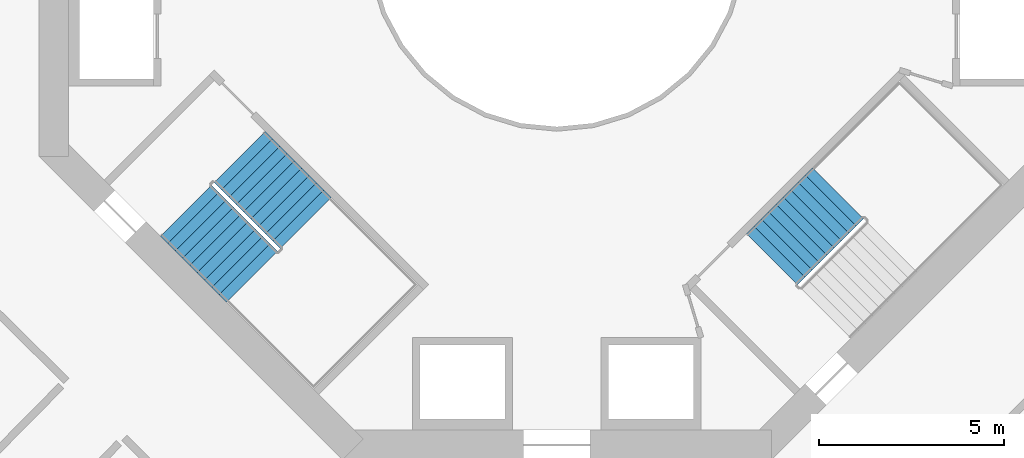
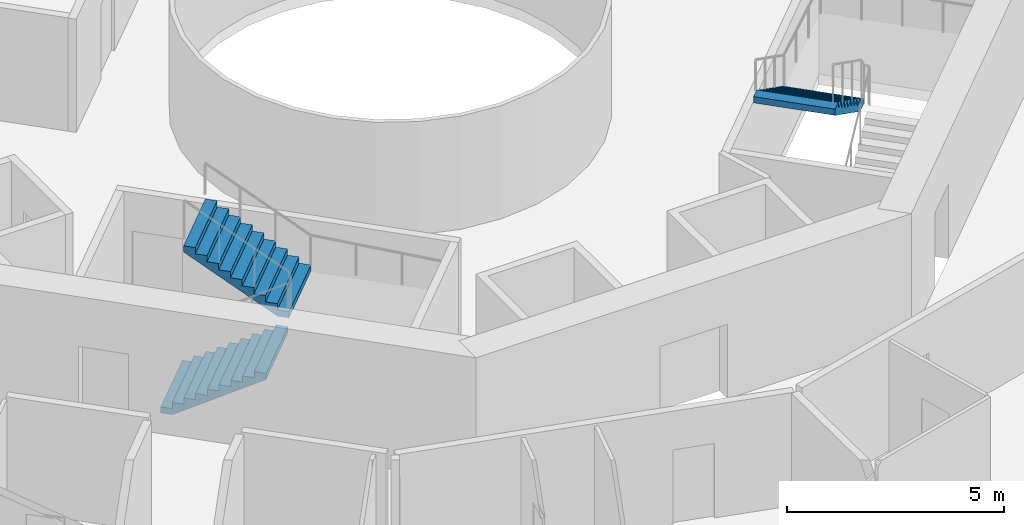
# One storey, part 24 of 26: 3 stair flights, 2 elements without a shape of their own.
"""IFC4 building model written with IfcOpenShell, lengths in metres."""

from ifc_helpers import new_model, si_unit, direction, frame, origin, place, context, subcontext, project, spatial, triangles, material, type_object, element, aggregate, save


model = new_model("IFC4")

# Units and contexts
model_context = context("Model", 3, precision=1e-05, world=origin(), true_north=direction((0.0, 1.0)))
body_context = subcontext(model_context, "Body", "Model", "MODEL_VIEW")
ifc_project = project(units=[si_unit("LENGTHUNIT", "METRE"), si_unit("AREAUNIT", "SQUARE_METRE"), si_unit("VOLUMEUNIT", "CUBIC_METRE"), si_unit("PLANEANGLEUNIT", "RADIAN"), si_unit("MASSUNIT", "GRAM", prefix="KILO")], contexts=[model_context])

# Site, building, storey
site_placement = place(None, origin())
site = spatial("IfcSite", under=ifc_project, at=site_placement, CompositionType="ELEMENT")
building_placement = place(site_placement, origin())
building = spatial("IfcBuilding", under=site, at=building_placement, Name="Verdalira Terraces Hotel", CompositionType="ELEMENT")
storey_placement = place(building_placement, frame((0.0, 0.0, 96.5)))
storey = spatial("IfcBuildingStorey", under=building, at=storey_placement, Name="L22", CompositionType="ELEMENT", Elevation=96.5)

# Stair, stair flights
ifc_material_1 = material(Name="Concrete C40", Category="concrete")
stair_type = type_object("IfcStairType", Name="Core stair 20 risers 1950 mm wide", PredefinedType="HALF_TURN_STAIR", material=ifc_material_1)
stair_1_placement = place(storey_placement, origin())
stair_1 = element("IfcStair", 1, at=stair_1_placement, inside=storey, type_object=stair_type, Name="L22 Exit stair ST2", PredefinedType="HALF_TURN_STAIR")
ifc_material_2 = material(Name="Concrete C40", Category="concrete")
stair_flight_type = type_object("IfcStairFlightType", Name="Core stair flight 20 risers 1950 mm wide", PredefinedType="STRAIGHT", material=ifc_material_2)
stair_flight_1_placement = place(storey_placement, frame((-10.023193, -7.265625, 0.0), z_axis=(0.0, 0.0, 1.0), x_axis=(0.707106781, -0.707106781, 0.0)))
stair_flight_1 = element("IfcStairFlight", 2, at=stair_flight_1_placement, type_object=stair_flight_type, Name="ST2 flight 1", NumberOfRisers=10, NumberOfTreads=9, PredefinedType="STRAIGHT", RiserHeight=0.175, TreadLength=0.28, context=body_context, shape_type="Tessellation", body=[
    triangles([(0.0, 0.974976, 0.0), (0.282715, 0.974976, 0.0), (2.52002, 0.974976, 1.398193), (0.0, -0.974976, 0.0), (0.282715, -0.974976, 0.0), (2.52002, -0.974976, 1.398193), (2.52002, 0.974976, 1.574951), (2.23999, 0.974976, 1.574951), (2.52002, -0.974976, 1.574951), (2.23999, -0.974976, 1.574951), (2.23999, 0.974976, 1.399902), (2.23999, -0.974976, 1.399902), (1.959961, 0.974976, 1.399902), (1.959961, -0.974976, 1.399902), (1.959961, 0.974976, 1.225098), (1.959961, -0.974976, 1.225098), (1.679932, 0.974976, 1.225098), (1.679932, 0.974976, 1.050049), (1.679932, -0.974976, 1.225098), (1.679932, -0.974976, 1.050049), (1.399902, 0.974976, 1.050049), (1.399902, 0.974976, 0.875), (1.399902, -0.974976, 1.050049), (1.399902, -0.974976, 0.875), (1.120117, 0.974976, 0.875), (1.120117, 0.974976, 0.699951), (1.120117, -0.974976, 0.875), (1.120117, -0.974976, 0.699951), (0.840088, 0.974976, 0.699951), (0.840088, 0.974976, 0.524902), (0.840088, -0.974976, 0.699951), (0.840088, -0.974976, 0.524902), (0.560059, 0.974976, 0.524902), (0.560059, 0.974976, 0.350098), (0.560059, -0.974976, 0.524902), (0.560059, -0.974976, 0.350098), (0.280029, 0.974976, 0.350098), (0.280029, 0.974976, 0.175049), (0.280029, -0.974976, 0.350098), (0.280029, -0.974976, 0.175049), (0.0, 0.974976, 0.175049), (0.0, -0.974976, 0.175049), (0.0, -0.91404, 0.0), (0.0, -0.91404, 0.175049), (0.0, -0.853104, 0.0), (0.0, -0.853104, 0.175049), (0.0, -0.792168, 0.0), (0.0, -0.792168, 0.175049), (0.0, -0.731232, 0.0), (0.0, -0.731232, 0.175049), (0.0, -0.670296, 0.0), (0.0, -0.670296, 0.175049), (0.0, -0.60936, 0.0), (0.0, -0.60936, 0.175049), (0.0, -0.548424, 0.0), (0.0, -0.548424, 0.175049), (0.0, -0.487488, 0.0), (0.0, -0.487488, 0.175049), (0.0, -0.426552, 0.0), (0.0, -0.426552, 0.175049), (0.0, -0.365616, 0.0), (0.0, -0.365616, 0.175049), (0.0, -0.30468, 0.0), (0.0, -0.30468, 0.175049), (0.0, -0.243744, 0.0), (0.0, -0.243744, 0.175049), (0.0, -0.182808, 0.0), (0.0, -0.182808, 0.175049), (0.0, -0.121872, 0.0), (0.0, -0.121872, 0.175049), (0.0, -0.060936, 0.0), (0.0, -0.060936, 0.175049), (0.0, 0.0, 0.0), (0.0, 0.0, 0.175049), (0.0, 0.060936, 0.0), (0.0, 0.060936, 0.175049), (0.0, 0.121872, 0.0), (0.0, 0.121872, 0.175049), (0.0, 0.182808, 0.0), (0.0, 0.182808, 0.175049), (0.0, 0.243744, 0.0), (0.0, 0.243744, 0.175049), (0.0, 0.30468, 0.0), (0.0, 0.30468, 0.175049), (0.0, 0.365616, 0.0), (0.0, 0.365616, 0.175049), (0.0, 0.426552, 0.0), (0.0, 0.426552, 0.175049), (0.0, 0.487488, 0.0), (0.0, 0.487488, 0.175049), (0.0, 0.548424, 0.0), (0.0, 0.548424, 0.175049), (0.0, 0.60936, 0.0), (0.0, 0.60936, 0.175049), (0.0, 0.670296, 0.0), (0.0, 0.670296, 0.175049), (0.0, 0.731232, 0.0), (0.0, 0.731232, 0.175049), (0.0, 0.792168, 0.0), (0.0, 0.792168, 0.175049), (0.0, 0.853104, 0.0), (0.0, 0.853104, 0.175049), (0.0, 0.91404, 0.0), (0.0, 0.91404, 0.175049), (2.52002, -0.91404, 1.574951), (2.52002, -0.853104, 1.574951), (2.52002, -0.792168, 1.574951), (2.52002, -0.731232, 1.574951), (2.52002, -0.670296, 1.574951), (2.52002, -0.60936, 1.574951), (2.52002, -0.548424, 1.574951), (2.52002, -0.487488, 1.574951), (2.52002, -0.426552, 1.574951), (2.52002, -0.365616, 1.574951), (2.52002, -0.30468, 1.574951), (2.52002, -0.243744, 1.574951), (2.52002, -0.182808, 1.574951), (2.52002, -0.121872, 1.574951), (2.52002, -0.060936, 1.574951), (2.52002, 0.0, 1.574951), (2.52002, 0.060936, 1.574951), (2.52002, 0.121872, 1.574951), (2.52002, 0.182808, 1.574951), (2.52002, 0.243744, 1.574951), (2.52002, 0.30468, 1.574951), (2.52002, 0.365616, 1.574951), (2.52002, 0.426552, 1.574951), (2.52002, 0.487488, 1.574951), (2.52002, 0.548424, 1.574951), (2.52002, 0.60936, 1.574951), (2.52002, 0.670296, 1.574951), (2.52002, 0.731232, 1.574951), (2.52002, 0.792168, 1.574951), (2.52002, 0.853104, 1.574951), (2.52002, 0.91404, 1.574951), (2.52002, -0.91404, 1.398193), (2.52002, -0.853104, 1.398193), (2.52002, -0.792168, 1.398193), (2.52002, -0.731232, 1.398193), (2.52002, -0.670296, 1.398193), (2.52002, -0.60936, 1.398193), (2.52002, -0.548424, 1.398193), (2.52002, -0.487488, 1.398193), (2.52002, -0.426552, 1.398193), (2.52002, -0.365616, 1.398193), (2.52002, -0.30468, 1.398193), (2.52002, -0.243744, 1.398193), (2.52002, -0.182808, 1.398193), (2.52002, -0.121872, 1.398193), (2.52002, -0.060936, 1.398193), (2.52002, 0.0, 1.398193), (2.52002, 0.060936, 1.398193), (2.52002, 0.121872, 1.398193), (2.52002, 0.182808, 1.398193), (2.52002, 0.243744, 1.398193), (2.52002, 0.30468, 1.398193), (2.52002, 0.365616, 1.398193), (2.52002, 0.426552, 1.398193), (2.52002, 0.487488, 1.398193), (2.52002, 0.548424, 1.398193), (2.52002, 0.60936, 1.398193), (2.52002, 0.670296, 1.398193), (2.52002, 0.731232, 1.398193), (2.52002, 0.792168, 1.398193), (2.52002, 0.853104, 1.398193), (2.52002, 0.91404, 1.398193)], [[1, 3, 2], [4, 5, 6], [3, 8, 7], [6, 9, 10], [3, 11, 8], [6, 10, 12], [3, 13, 11], [6, 12, 14], [3, 15, 13], [6, 14, 16], [15, 18, 17], [16, 19, 20], [3, 18, 15], [6, 16, 20], [18, 22, 21], [20, 23, 24], [3, 22, 18], [6, 20, 24], [22, 26, 25], [24, 27, 28], [3, 26, 22], [6, 24, 28], [26, 30, 29], [28, 31, 32], [3, 30, 26], [6, 28, 32], [1, 30, 3], [4, 6, 32], [30, 34, 33], [32, 35, 36], [34, 38, 37], [36, 39, 40], [30, 38, 34], [32, 36, 40], [1, 38, 30], [4, 32, 40], [38, 1, 41], [40, 42, 4], [4, 44, 43], [4, 42, 44], [43, 46, 45], [43, 44, 46], [45, 48, 47], [45, 46, 48], [47, 50, 49], [47, 48, 50], [49, 52, 51], [49, 50, 52], [51, 54, 53], [51, 52, 54], [53, 56, 55], [53, 54, 56], [55, 58, 57], [55, 56, 58], [57, 60, 59], [57, 58, 60], [59, 62, 61], [59, 60, 62], [61, 64, 63], [61, 62, 64], [63, 66, 65], [63, 64, 66], [65, 68, 67], [65, 66, 68], [67, 70, 69], [67, 68, 70], [69, 72, 71], [69, 70, 72], [71, 74, 73], [71, 72, 74], [73, 76, 75], [73, 74, 76], [75, 78, 77], [75, 76, 78], [77, 80, 79], [77, 78, 80], [79, 82, 81], [79, 80, 82], [81, 84, 83], [81, 82, 84], [83, 86, 85], [83, 84, 86], [85, 88, 87], [85, 86, 88], [87, 90, 89], [87, 88, 90], [89, 92, 91], [89, 90, 92], [91, 94, 93], [91, 92, 94], [93, 96, 95], [93, 94, 96], [95, 98, 97], [95, 96, 98], [97, 100, 99], [97, 98, 100], [99, 102, 101], [99, 100, 102], [101, 104, 103], [101, 102, 104], [103, 41, 1], [103, 104, 41], [42, 40, 44], [44, 40, 46], [46, 40, 48], [48, 40, 50], [50, 40, 52], [52, 40, 54], [54, 40, 56], [56, 40, 58], [58, 40, 60], [60, 40, 62], [62, 40, 64], [64, 40, 66], [66, 40, 68], [68, 40, 70], [70, 40, 72], [72, 40, 74], [74, 40, 76], [76, 40, 78], [78, 40, 80], [80, 40, 82], [82, 40, 84], [84, 40, 86], [86, 40, 88], [88, 40, 90], [90, 40, 92], [92, 40, 94], [94, 40, 96], [96, 40, 98], [98, 40, 100], [100, 40, 102], [102, 40, 104], [104, 40, 41], [41, 40, 38], [40, 37, 38], [40, 39, 37], [39, 34, 37], [39, 36, 34], [36, 33, 34], [36, 35, 33], [35, 30, 33], [35, 32, 30], [32, 29, 30], [32, 31, 29], [31, 26, 29], [31, 28, 26], [28, 25, 26], [28, 27, 25], [27, 22, 25], [27, 24, 22], [24, 21, 22], [24, 23, 21], [23, 18, 21], [23, 20, 18], [20, 17, 18], [20, 19, 17], [19, 15, 17], [19, 16, 15], [16, 13, 15], [16, 14, 13], [14, 11, 13], [14, 12, 11], [12, 8, 11], [12, 10, 8], [9, 105, 10], [105, 106, 10], [106, 107, 10], [107, 108, 10], [108, 109, 10], [109, 110, 10], [110, 111, 10], [111, 112, 10], [112, 113, 10], [113, 114, 10], [114, 115, 10], [115, 116, 10], [116, 117, 10], [117, 118, 10], [118, 119, 10], [119, 120, 10], [120, 121, 10], [121, 122, 10], [122, 123, 10], [123, 124, 10], [124, 125, 10], [125, 126, 10], [126, 127, 10], [127, 128, 10], [128, 129, 10], [129, 130, 10], [130, 131, 10], [131, 132, 10], [132, 133, 10], [133, 134, 10], [134, 135, 10], [135, 7, 10], [7, 8, 10], [9, 136, 105], [9, 6, 136], [105, 137, 106], [105, 136, 137], [106, 138, 107], [106, 137, 138], [107, 139, 108], [107, 138, 139], [108, 140, 109], [108, 139, 140], [109, 141, 110], [109, 140, 141], [110, 142, 111], [110, 141, 142], [111, 143, 112], [111, 142, 143], [112, 144, 113], [112, 143, 144], [113, 145, 114], [113, 144, 145], [114, 146, 115], [114, 145, 146], [115, 147, 116], [115, 146, 147], [116, 148, 117], [116, 147, 148], [117, 149, 118], [117, 148, 149], [118, 150, 119], [118, 149, 150], [119, 151, 120], [119, 150, 151], [120, 152, 121], [120, 151, 152], [121, 153, 122], [121, 152, 153], [122, 154, 123], [122, 153, 154], [123, 155, 124], [123, 154, 155], [124, 156, 125], [124, 155, 156], [125, 157, 126], [125, 156, 157], [126, 158, 127], [126, 157, 158], [127, 159, 128], [127, 158, 159], [128, 160, 129], [128, 159, 160], [129, 161, 130], [129, 160, 161], [130, 162, 131], [130, 161, 162], [131, 163, 132], [131, 162, 163], [132, 164, 133], [132, 163, 164], [133, 165, 134], [133, 164, 165], [134, 166, 135], [134, 165, 166], [135, 3, 7], [135, 166, 3], [6, 5, 136], [136, 5, 137], [137, 5, 138], [138, 5, 139], [139, 5, 140], [140, 5, 141], [141, 5, 142], [142, 5, 143], [143, 5, 144], [144, 5, 145], [145, 5, 146], [146, 5, 147], [147, 5, 148], [148, 5, 149], [149, 5, 150], [150, 5, 151], [151, 5, 152], [152, 5, 153], [153, 5, 154], [154, 5, 155], [155, 5, 156], [156, 5, 157], [157, 5, 158], [158, 5, 159], [159, 5, 160], [160, 5, 161], [161, 5, 162], [162, 5, 163], [163, 5, 164], [164, 5, 165], [165, 5, 166], [166, 5, 3], [3, 5, 2], [4, 43, 5], [43, 45, 5], [45, 47, 5], [47, 49, 5], [49, 51, 5], [51, 53, 5], [53, 55, 5], [55, 57, 5], [57, 59, 5], [59, 61, 5], [61, 63, 5], [63, 65, 5], [65, 67, 5], [67, 69, 5], [69, 71, 5], [71, 73, 5], [73, 75, 5], [75, 77, 5], [77, 79, 5], [79, 81, 5], [81, 83, 5], [83, 85, 5], [85, 87, 5], [87, 89, 5], [89, 91, 5], [91, 93, 5], [93, 95, 5], [95, 97, 5], [97, 99, 5], [99, 101, 5], [101, 103, 5], [103, 1, 5], [1, 2, 5]], closed=True),
])
stair_flight_2_placement = place(storey_placement, frame((-6.791748, -7.5979, 1.75), z_axis=(0.0, 0.0, 1.0), x_axis=(-0.707106781, 0.707106781, 0.0)))
stair_flight_2 = element("IfcStairFlight", 3, at=stair_flight_2_placement, type_object=stair_flight_type, Name="ST2 flight 2", NumberOfRisers=10, NumberOfTreads=9, PredefinedType="STRAIGHT", RiserHeight=0.175, TreadLength=0.28, context=body_context, shape_type="Tessellation", body=[
    triangles([(0.0, 0.974976, 0.0), (0.282715, 0.974976, 0.0), (2.52002, 0.974976, 1.398193), (0.0, -0.974976, 0.0), (0.282715, -0.974976, 0.0), (2.52002, -0.974976, 1.398193), (2.52002, 0.974976, 1.574951), (2.23999, 0.974976, 1.574951), (2.52002, -0.974976, 1.574951), (2.23999, -0.974976, 1.574951), (2.23999, 0.974976, 1.399902), (2.23999, -0.974976, 1.399902), (1.959961, 0.974976, 1.399902), (1.959961, -0.974976, 1.399902), (1.959961, 0.974976, 1.225098), (1.959961, -0.974976, 1.225098), (1.679932, 0.974976, 1.225098), (1.679932, 0.974976, 1.050049), (1.679932, -0.974976, 1.225098), (1.679932, -0.974976, 1.050049), (1.399902, 0.974976, 1.050049), (1.399902, 0.974976, 0.875), (1.399902, -0.974976, 1.050049), (1.399902, -0.974976, 0.875), (1.120117, 0.974976, 0.875), (1.120117, 0.974976, 0.699951), (1.120117, -0.974976, 0.875), (1.120117, -0.974976, 0.699951), (0.840088, 0.974976, 0.699951), (0.840088, 0.974976, 0.524902), (0.840088, -0.974976, 0.699951), (0.840088, -0.974976, 0.524902), (0.560059, 0.974976, 0.524902), (0.560059, 0.974976, 0.350098), (0.560059, -0.974976, 0.524902), (0.560059, -0.974976, 0.350098), (0.280029, 0.974976, 0.350098), (0.280029, 0.974976, 0.175049), (0.280029, -0.974976, 0.350098), (0.280029, -0.974976, 0.175049), (0.0, 0.974976, 0.175049), (0.0, -0.974976, 0.175049), (0.0, -0.91404, 0.0), (0.0, -0.91404, 0.175049), (0.0, -0.853104, 0.0), (0.0, -0.853104, 0.175049), (0.0, -0.792168, 0.0), (0.0, -0.792168, 0.175049), (0.0, -0.731232, 0.0), (0.0, -0.731232, 0.175049), (0.0, -0.670296, 0.0), (0.0, -0.670296, 0.175049), (0.0, -0.60936, 0.0), (0.0, -0.60936, 0.175049), (0.0, -0.548424, 0.0), (0.0, -0.548424, 0.175049), (0.0, -0.487488, 0.0), (0.0, -0.487488, 0.175049), (0.0, -0.426552, 0.0), (0.0, -0.426552, 0.175049), (0.0, -0.365616, 0.0), (0.0, -0.365616, 0.175049), (0.0, -0.30468, 0.0), (0.0, -0.30468, 0.175049), (0.0, -0.243744, 0.0), (0.0, -0.243744, 0.175049), (0.0, -0.182808, 0.0), (0.0, -0.182808, 0.175049), (0.0, -0.121872, 0.0), (0.0, -0.121872, 0.175049), (0.0, -0.060936, 0.0), (0.0, -0.060936, 0.175049), (0.0, 0.0, 0.0), (0.0, 0.0, 0.175049), (0.0, 0.060936, 0.0), (0.0, 0.060936, 0.175049), (0.0, 0.121872, 0.0), (0.0, 0.121872, 0.175049), (0.0, 0.182808, 0.0), (0.0, 0.182808, 0.175049), (0.0, 0.243744, 0.0), (0.0, 0.243744, 0.175049), (0.0, 0.30468, 0.0), (0.0, 0.30468, 0.175049), (0.0, 0.365616, 0.0), (0.0, 0.365616, 0.175049), (0.0, 0.426552, 0.0), (0.0, 0.426552, 0.175049), (0.0, 0.487488, 0.0), (0.0, 0.487488, 0.175049), (0.0, 0.548424, 0.0), (0.0, 0.548424, 0.175049), (0.0, 0.60936, 0.0), (0.0, 0.60936, 0.175049), (0.0, 0.670296, 0.0), (0.0, 0.670296, 0.175049), (0.0, 0.731232, 0.0), (0.0, 0.731232, 0.175049), (0.0, 0.792168, 0.0), (0.0, 0.792168, 0.175049), (0.0, 0.853104, 0.0), (0.0, 0.853104, 0.175049), (0.0, 0.91404, 0.0), (0.0, 0.91404, 0.175049), (2.52002, -0.91404, 1.574951), (2.52002, -0.853104, 1.574951), (2.52002, -0.792168, 1.574951), (2.52002, -0.731232, 1.574951), (2.52002, -0.670296, 1.574951), (2.52002, -0.60936, 1.574951), (2.52002, -0.548424, 1.574951), (2.52002, -0.487488, 1.574951), (2.52002, -0.426552, 1.574951), (2.52002, -0.365616, 1.574951), (2.52002, -0.30468, 1.574951), (2.52002, -0.243744, 1.574951), (2.52002, -0.182808, 1.574951), (2.52002, -0.121872, 1.574951), (2.52002, -0.060936, 1.574951), (2.52002, 0.0, 1.574951), (2.52002, 0.060936, 1.574951), (2.52002, 0.121872, 1.574951), (2.52002, 0.182808, 1.574951), (2.52002, 0.243744, 1.574951), (2.52002, 0.30468, 1.574951), (2.52002, 0.365616, 1.574951), (2.52002, 0.426552, 1.574951), (2.52002, 0.487488, 1.574951), (2.52002, 0.548424, 1.574951), (2.52002, 0.60936, 1.574951), (2.52002, 0.670296, 1.574951), (2.52002, 0.731232, 1.574951), (2.52002, 0.792168, 1.574951), (2.52002, 0.853104, 1.574951), (2.52002, 0.91404, 1.574951), (2.52002, -0.91404, 1.398193), (2.52002, -0.853104, 1.398193), (2.52002, -0.792168, 1.398193), (2.52002, -0.731232, 1.398193), (2.52002, -0.670296, 1.398193), (2.52002, -0.60936, 1.398193), (2.52002, -0.548424, 1.398193), (2.52002, -0.487488, 1.398193), (2.52002, -0.426552, 1.398193), (2.52002, -0.365616, 1.398193), (2.52002, -0.30468, 1.398193), (2.52002, -0.243744, 1.398193), (2.52002, -0.182808, 1.398193), (2.52002, -0.121872, 1.398193), (2.52002, -0.060936, 1.398193), (2.52002, 0.0, 1.398193), (2.52002, 0.060936, 1.398193), (2.52002, 0.121872, 1.398193), (2.52002, 0.182808, 1.398193), (2.52002, 0.243744, 1.398193), (2.52002, 0.30468, 1.398193), (2.52002, 0.365616, 1.398193), (2.52002, 0.426552, 1.398193), (2.52002, 0.487488, 1.398193), (2.52002, 0.548424, 1.398193), (2.52002, 0.60936, 1.398193), (2.52002, 0.670296, 1.398193), (2.52002, 0.731232, 1.398193), (2.52002, 0.792168, 1.398193), (2.52002, 0.853104, 1.398193), (2.52002, 0.91404, 1.398193)], [[1, 3, 2], [4, 5, 6], [3, 8, 7], [6, 9, 10], [3, 11, 8], [6, 10, 12], [3, 13, 11], [6, 12, 14], [3, 15, 13], [6, 14, 16], [15, 18, 17], [16, 19, 20], [3, 18, 15], [6, 16, 20], [18, 22, 21], [20, 23, 24], [3, 22, 18], [6, 20, 24], [22, 26, 25], [24, 27, 28], [3, 26, 22], [6, 24, 28], [26, 30, 29], [28, 31, 32], [3, 30, 26], [6, 28, 32], [1, 30, 3], [4, 6, 32], [30, 34, 33], [32, 35, 36], [34, 38, 37], [36, 39, 40], [30, 38, 34], [32, 36, 40], [1, 38, 30], [4, 32, 40], [38, 1, 41], [40, 42, 4], [4, 44, 43], [4, 42, 44], [43, 46, 45], [43, 44, 46], [45, 48, 47], [45, 46, 48], [47, 50, 49], [47, 48, 50], [49, 52, 51], [49, 50, 52], [51, 54, 53], [51, 52, 54], [53, 56, 55], [53, 54, 56], [55, 58, 57], [55, 56, 58], [57, 60, 59], [57, 58, 60], [59, 62, 61], [59, 60, 62], [61, 64, 63], [61, 62, 64], [63, 66, 65], [63, 64, 66], [65, 68, 67], [65, 66, 68], [67, 70, 69], [67, 68, 70], [69, 72, 71], [69, 70, 72], [71, 74, 73], [71, 72, 74], [73, 76, 75], [73, 74, 76], [75, 78, 77], [75, 76, 78], [77, 80, 79], [77, 78, 80], [79, 82, 81], [79, 80, 82], [81, 84, 83], [81, 82, 84], [83, 86, 85], [83, 84, 86], [85, 88, 87], [85, 86, 88], [87, 90, 89], [87, 88, 90], [89, 92, 91], [89, 90, 92], [91, 94, 93], [91, 92, 94], [93, 96, 95], [93, 94, 96], [95, 98, 97], [95, 96, 98], [97, 100, 99], [97, 98, 100], [99, 102, 101], [99, 100, 102], [101, 104, 103], [101, 102, 104], [103, 41, 1], [103, 104, 41], [42, 40, 44], [44, 40, 46], [46, 40, 48], [48, 40, 50], [50, 40, 52], [52, 40, 54], [54, 40, 56], [56, 40, 58], [58, 40, 60], [60, 40, 62], [62, 40, 64], [64, 40, 66], [66, 40, 68], [68, 40, 70], [70, 40, 72], [72, 40, 74], [74, 40, 76], [76, 40, 78], [78, 40, 80], [80, 40, 82], [82, 40, 84], [84, 40, 86], [86, 40, 88], [88, 40, 90], [90, 40, 92], [92, 40, 94], [94, 40, 96], [96, 40, 98], [98, 40, 100], [100, 40, 102], [102, 40, 104], [104, 40, 41], [41, 40, 38], [40, 37, 38], [40, 39, 37], [39, 34, 37], [39, 36, 34], [36, 33, 34], [36, 35, 33], [35, 30, 33], [35, 32, 30], [32, 29, 30], [32, 31, 29], [31, 26, 29], [31, 28, 26], [28, 25, 26], [28, 27, 25], [27, 22, 25], [27, 24, 22], [24, 21, 22], [24, 23, 21], [23, 18, 21], [23, 20, 18], [20, 17, 18], [20, 19, 17], [19, 15, 17], [19, 16, 15], [16, 13, 15], [16, 14, 13], [14, 11, 13], [14, 12, 11], [12, 8, 11], [12, 10, 8], [9, 105, 10], [105, 106, 10], [106, 107, 10], [107, 108, 10], [108, 109, 10], [109, 110, 10], [110, 111, 10], [111, 112, 10], [112, 113, 10], [113, 114, 10], [114, 115, 10], [115, 116, 10], [116, 117, 10], [117, 118, 10], [118, 119, 10], [119, 120, 10], [120, 121, 10], [121, 122, 10], [122, 123, 10], [123, 124, 10], [124, 125, 10], [125, 126, 10], [126, 127, 10], [127, 128, 10], [128, 129, 10], [129, 130, 10], [130, 131, 10], [131, 132, 10], [132, 133, 10], [133, 134, 10], [134, 135, 10], [135, 7, 10], [7, 8, 10], [9, 136, 105], [9, 6, 136], [105, 137, 106], [105, 136, 137], [106, 138, 107], [106, 137, 138], [107, 139, 108], [107, 138, 139], [108, 140, 109], [108, 139, 140], [109, 141, 110], [109, 140, 141], [110, 142, 111], [110, 141, 142], [111, 143, 112], [111, 142, 143], [112, 144, 113], [112, 143, 144], [113, 145, 114], [113, 144, 145], [114, 146, 115], [114, 145, 146], [115, 147, 116], [115, 146, 147], [116, 148, 117], [116, 147, 148], [117, 149, 118], [117, 148, 149], [118, 150, 119], [118, 149, 150], [119, 151, 120], [119, 150, 151], [120, 152, 121], [120, 151, 152], [121, 153, 122], [121, 152, 153], [122, 154, 123], [122, 153, 154], [123, 155, 124], [123, 154, 155], [124, 156, 125], [124, 155, 156], [125, 157, 126], [125, 156, 157], [126, 158, 127], [126, 157, 158], [127, 159, 128], [127, 158, 159], [128, 160, 129], [128, 159, 160], [129, 161, 130], [129, 160, 161], [130, 162, 131], [130, 161, 162], [131, 163, 132], [131, 162, 163], [132, 164, 133], [132, 163, 164], [133, 165, 134], [133, 164, 165], [134, 166, 135], [134, 165, 166], [135, 3, 7], [135, 166, 3], [6, 5, 136], [136, 5, 137], [137, 5, 138], [138, 5, 139], [139, 5, 140], [140, 5, 141], [141, 5, 142], [142, 5, 143], [143, 5, 144], [144, 5, 145], [145, 5, 146], [146, 5, 147], [147, 5, 148], [148, 5, 149], [149, 5, 150], [150, 5, 151], [151, 5, 152], [152, 5, 153], [153, 5, 154], [154, 5, 155], [155, 5, 156], [156, 5, 157], [157, 5, 158], [158, 5, 159], [159, 5, 160], [160, 5, 161], [161, 5, 162], [162, 5, 163], [163, 5, 164], [164, 5, 165], [165, 5, 166], [166, 5, 3], [3, 5, 2], [4, 43, 5], [43, 45, 5], [45, 47, 5], [47, 49, 5], [49, 51, 5], [51, 53, 5], [53, 55, 5], [55, 57, 5], [57, 59, 5], [59, 61, 5], [61, 63, 5], [63, 65, 5], [65, 67, 5], [67, 69, 5], [69, 71, 5], [71, 73, 5], [73, 75, 5], [75, 77, 5], [77, 79, 5], [79, 81, 5], [81, 83, 5], [83, 85, 5], [85, 87, 5], [87, 89, 5], [89, 91, 5], [91, 93, 5], [93, 95, 5], [95, 97, 5], [97, 99, 5], [99, 101, 5], [101, 103, 5], [103, 1, 5], [1, 2, 5]], closed=True),
])
aggregate(stair_1, [stair_flight_1, stair_flight_2])

# Stair, stair flight
stair_2_placement = place(storey_placement, origin())
stair_2 = element("IfcStair", 4, at=stair_2_placement, inside=storey, type_object=stair_type, Name="L22 Exit stair ST3", PredefinedType="HALF_TURN_STAIR")
stair_flight_3_placement = place(storey_placement, frame((7.5979, -6.791748, 1.75), z_axis=(0.0, 0.0, 1.0), x_axis=(-0.707106781, -0.707106781, 0.0)))
stair_flight_3 = element("IfcStairFlight", 5, at=stair_flight_3_placement, type_object=stair_flight_type, Name="ST3 flight 2", NumberOfRisers=10, NumberOfTreads=9, PredefinedType="STRAIGHT", RiserHeight=0.175, TreadLength=0.28, context=body_context, shape_type="Tessellation", body=[
    triangles([(0.0, 0.974976, 0.0), (0.282715, 0.974976, 0.0), (2.52002, 0.974976, 1.398193), (0.0, -0.974976, 0.0), (0.282715, -0.974976, 0.0), (2.52002, -0.974976, 1.398193), (2.52002, 0.974976, 1.574951), (2.23999, 0.974976, 1.574951), (2.52002, -0.974976, 1.574951), (2.23999, -0.974976, 1.574951), (2.23999, 0.974976, 1.399902), (2.23999, -0.974976, 1.399902), (1.959961, 0.974976, 1.399902), (1.959961, -0.974976, 1.399902), (1.959961, 0.974976, 1.225098), (1.959961, -0.974976, 1.225098), (1.679932, 0.974976, 1.225098), (1.679932, 0.974976, 1.050049), (1.679932, -0.974976, 1.225098), (1.679932, -0.974976, 1.050049), (1.399902, 0.974976, 1.050049), (1.399902, 0.974976, 0.875), (1.399902, -0.974976, 1.050049), (1.399902, -0.974976, 0.875), (1.120117, 0.974976, 0.875), (1.120117, 0.974976, 0.699951), (1.120117, -0.974976, 0.875), (1.120117, -0.974976, 0.699951), (0.840088, 0.974976, 0.699951), (0.840088, 0.974976, 0.524902), (0.840088, -0.974976, 0.699951), (0.840088, -0.974976, 0.524902), (0.560059, 0.974976, 0.524902), (0.560059, 0.974976, 0.350098), (0.560059, -0.974976, 0.524902), (0.560059, -0.974976, 0.350098), (0.280029, 0.974976, 0.350098), (0.280029, 0.974976, 0.175049), (0.280029, -0.974976, 0.350098), (0.280029, -0.974976, 0.175049), (0.0, 0.974976, 0.175049), (0.0, -0.974976, 0.175049), (0.0, -0.91404, 0.0), (0.0, -0.91404, 0.175049), (0.0, -0.853104, 0.0), (0.0, -0.853104, 0.175049), (0.0, -0.792168, 0.0), (0.0, -0.792168, 0.175049), (0.0, -0.731232, 0.0), (0.0, -0.731232, 0.175049), (0.0, -0.670296, 0.0), (0.0, -0.670296, 0.175049), (0.0, -0.60936, 0.0), (0.0, -0.60936, 0.175049), (0.0, -0.548424, 0.0), (0.0, -0.548424, 0.175049), (0.0, -0.487488, 0.0), (0.0, -0.487488, 0.175049), (0.0, -0.426552, 0.0), (0.0, -0.426552, 0.175049), (0.0, -0.365616, 0.0), (0.0, -0.365616, 0.175049), (0.0, -0.30468, 0.0), (0.0, -0.30468, 0.175049), (0.0, -0.243744, 0.0), (0.0, -0.243744, 0.175049), (0.0, -0.182808, 0.0), (0.0, -0.182808, 0.175049), (0.0, -0.121872, 0.0), (0.0, -0.121872, 0.175049), (0.0, -0.060936, 0.0), (0.0, -0.060936, 0.175049), (0.0, 0.0, 0.0), (0.0, 0.0, 0.175049), (0.0, 0.060936, 0.0), (0.0, 0.060936, 0.175049), (0.0, 0.121872, 0.0), (0.0, 0.121872, 0.175049), (0.0, 0.182808, 0.0), (0.0, 0.182808, 0.175049), (0.0, 0.243744, 0.0), (0.0, 0.243744, 0.175049), (0.0, 0.30468, 0.0), (0.0, 0.30468, 0.175049), (0.0, 0.365616, 0.0), (0.0, 0.365616, 0.175049), (0.0, 0.426552, 0.0), (0.0, 0.426552, 0.175049), (0.0, 0.487488, 0.0), (0.0, 0.487488, 0.175049), (0.0, 0.548424, 0.0), (0.0, 0.548424, 0.175049), (0.0, 0.60936, 0.0), (0.0, 0.60936, 0.175049), (0.0, 0.670296, 0.0), (0.0, 0.670296, 0.175049), (0.0, 0.731232, 0.0), (0.0, 0.731232, 0.175049), (0.0, 0.792168, 0.0), (0.0, 0.792168, 0.175049), (0.0, 0.853104, 0.0), (0.0, 0.853104, 0.175049), (0.0, 0.91404, 0.0), (0.0, 0.91404, 0.175049), (2.52002, -0.91404, 1.574951), (2.52002, -0.853104, 1.574951), (2.52002, -0.792168, 1.574951), (2.52002, -0.731232, 1.574951), (2.52002, -0.670296, 1.574951), (2.52002, -0.60936, 1.574951), (2.52002, -0.548424, 1.574951), (2.52002, -0.487488, 1.574951), (2.52002, -0.426552, 1.574951), (2.52002, -0.365616, 1.574951), (2.52002, -0.30468, 1.574951), (2.52002, -0.243744, 1.574951), (2.52002, -0.182808, 1.574951), (2.52002, -0.121872, 1.574951), (2.52002, -0.060936, 1.574951), (2.52002, 0.0, 1.574951), (2.52002, 0.060936, 1.574951), (2.52002, 0.121872, 1.574951), (2.52002, 0.182808, 1.574951), (2.52002, 0.243744, 1.574951), (2.52002, 0.30468, 1.574951), (2.52002, 0.365616, 1.574951), (2.52002, 0.426552, 1.574951), (2.52002, 0.487488, 1.574951), (2.52002, 0.548424, 1.574951), (2.52002, 0.60936, 1.574951), (2.52002, 0.670296, 1.574951), (2.52002, 0.731232, 1.574951), (2.52002, 0.792168, 1.574951), (2.52002, 0.853104, 1.574951), (2.52002, 0.91404, 1.574951), (2.52002, -0.91404, 1.398193), (2.52002, -0.853104, 1.398193), (2.52002, -0.792168, 1.398193), (2.52002, -0.731232, 1.398193), (2.52002, -0.670296, 1.398193), (2.52002, -0.60936, 1.398193), (2.52002, -0.548424, 1.398193), (2.52002, -0.487488, 1.398193), (2.52002, -0.426552, 1.398193), (2.52002, -0.365616, 1.398193), (2.52002, -0.30468, 1.398193), (2.52002, -0.243744, 1.398193), (2.52002, -0.182808, 1.398193), (2.52002, -0.121872, 1.398193), (2.52002, -0.060936, 1.398193), (2.52002, 0.0, 1.398193), (2.52002, 0.060936, 1.398193), (2.52002, 0.121872, 1.398193), (2.52002, 0.182808, 1.398193), (2.52002, 0.243744, 1.398193), (2.52002, 0.30468, 1.398193), (2.52002, 0.365616, 1.398193), (2.52002, 0.426552, 1.398193), (2.52002, 0.487488, 1.398193), (2.52002, 0.548424, 1.398193), (2.52002, 0.60936, 1.398193), (2.52002, 0.670296, 1.398193), (2.52002, 0.731232, 1.398193), (2.52002, 0.792168, 1.398193), (2.52002, 0.853104, 1.398193), (2.52002, 0.91404, 1.398193)], [[1, 3, 2], [4, 5, 6], [3, 8, 7], [6, 9, 10], [3, 11, 8], [6, 10, 12], [3, 13, 11], [6, 12, 14], [3, 15, 13], [6, 14, 16], [15, 18, 17], [16, 19, 20], [3, 18, 15], [6, 16, 20], [18, 22, 21], [20, 23, 24], [3, 22, 18], [6, 20, 24], [22, 26, 25], [24, 27, 28], [3, 26, 22], [6, 24, 28], [26, 30, 29], [28, 31, 32], [3, 30, 26], [6, 28, 32], [1, 30, 3], [4, 6, 32], [30, 34, 33], [32, 35, 36], [34, 38, 37], [36, 39, 40], [30, 38, 34], [32, 36, 40], [1, 38, 30], [4, 32, 40], [38, 1, 41], [40, 42, 4], [4, 44, 43], [4, 42, 44], [43, 46, 45], [43, 44, 46], [45, 48, 47], [45, 46, 48], [47, 50, 49], [47, 48, 50], [49, 52, 51], [49, 50, 52], [51, 54, 53], [51, 52, 54], [53, 56, 55], [53, 54, 56], [55, 58, 57], [55, 56, 58], [57, 60, 59], [57, 58, 60], [59, 62, 61], [59, 60, 62], [61, 64, 63], [61, 62, 64], [63, 66, 65], [63, 64, 66], [65, 68, 67], [65, 66, 68], [67, 70, 69], [67, 68, 70], [69, 72, 71], [69, 70, 72], [71, 74, 73], [71, 72, 74], [73, 76, 75], [73, 74, 76], [75, 78, 77], [75, 76, 78], [77, 80, 79], [77, 78, 80], [79, 82, 81], [79, 80, 82], [81, 84, 83], [81, 82, 84], [83, 86, 85], [83, 84, 86], [85, 88, 87], [85, 86, 88], [87, 90, 89], [87, 88, 90], [89, 92, 91], [89, 90, 92], [91, 94, 93], [91, 92, 94], [93, 96, 95], [93, 94, 96], [95, 98, 97], [95, 96, 98], [97, 100, 99], [97, 98, 100], [99, 102, 101], [99, 100, 102], [101, 104, 103], [101, 102, 104], [103, 41, 1], [103, 104, 41], [42, 40, 44], [44, 40, 46], [46, 40, 48], [48, 40, 50], [50, 40, 52], [52, 40, 54], [54, 40, 56], [56, 40, 58], [58, 40, 60], [60, 40, 62], [62, 40, 64], [64, 40, 66], [66, 40, 68], [68, 40, 70], [70, 40, 72], [72, 40, 74], [74, 40, 76], [76, 40, 78], [78, 40, 80], [80, 40, 82], [82, 40, 84], [84, 40, 86], [86, 40, 88], [88, 40, 90], [90, 40, 92], [92, 40, 94], [94, 40, 96], [96, 40, 98], [98, 40, 100], [100, 40, 102], [102, 40, 104], [104, 40, 41], [41, 40, 38], [40, 37, 38], [40, 39, 37], [39, 34, 37], [39, 36, 34], [36, 33, 34], [36, 35, 33], [35, 30, 33], [35, 32, 30], [32, 29, 30], [32, 31, 29], [31, 26, 29], [31, 28, 26], [28, 25, 26], [28, 27, 25], [27, 22, 25], [27, 24, 22], [24, 21, 22], [24, 23, 21], [23, 18, 21], [23, 20, 18], [20, 17, 18], [20, 19, 17], [19, 15, 17], [19, 16, 15], [16, 13, 15], [16, 14, 13], [14, 11, 13], [14, 12, 11], [12, 8, 11], [12, 10, 8], [9, 105, 10], [105, 106, 10], [106, 107, 10], [107, 108, 10], [108, 109, 10], [109, 110, 10], [110, 111, 10], [111, 112, 10], [112, 113, 10], [113, 114, 10], [114, 115, 10], [115, 116, 10], [116, 117, 10], [117, 118, 10], [118, 119, 10], [119, 120, 10], [120, 121, 10], [121, 122, 10], [122, 123, 10], [123, 124, 10], [124, 125, 10], [125, 126, 10], [126, 127, 10], [127, 128, 10], [128, 129, 10], [129, 130, 10], [130, 131, 10], [131, 132, 10], [132, 133, 10], [133, 134, 10], [134, 135, 10], [135, 7, 10], [7, 8, 10], [9, 136, 105], [9, 6, 136], [105, 137, 106], [105, 136, 137], [106, 138, 107], [106, 137, 138], [107, 139, 108], [107, 138, 139], [108, 140, 109], [108, 139, 140], [109, 141, 110], [109, 140, 141], [110, 142, 111], [110, 141, 142], [111, 143, 112], [111, 142, 143], [112, 144, 113], [112, 143, 144], [113, 145, 114], [113, 144, 145], [114, 146, 115], [114, 145, 146], [115, 147, 116], [115, 146, 147], [116, 148, 117], [116, 147, 148], [117, 149, 118], [117, 148, 149], [118, 150, 119], [118, 149, 150], [119, 151, 120], [119, 150, 151], [120, 152, 121], [120, 151, 152], [121, 153, 122], [121, 152, 153], [122, 154, 123], [122, 153, 154], [123, 155, 124], [123, 154, 155], [124, 156, 125], [124, 155, 156], [125, 157, 126], [125, 156, 157], [126, 158, 127], [126, 157, 158], [127, 159, 128], [127, 158, 159], [128, 160, 129], [128, 159, 160], [129, 161, 130], [129, 160, 161], [130, 162, 131], [130, 161, 162], [131, 163, 132], [131, 162, 163], [132, 164, 133], [132, 163, 164], [133, 165, 134], [133, 164, 165], [134, 166, 135], [134, 165, 166], [135, 3, 7], [135, 166, 3], [6, 5, 136], [136, 5, 137], [137, 5, 138], [138, 5, 139], [139, 5, 140], [140, 5, 141], [141, 5, 142], [142, 5, 143], [143, 5, 144], [144, 5, 145], [145, 5, 146], [146, 5, 147], [147, 5, 148], [148, 5, 149], [149, 5, 150], [150, 5, 151], [151, 5, 152], [152, 5, 153], [153, 5, 154], [154, 5, 155], [155, 5, 156], [156, 5, 157], [157, 5, 158], [158, 5, 159], [159, 5, 160], [160, 5, 161], [161, 5, 162], [162, 5, 163], [163, 5, 164], [164, 5, 165], [165, 5, 166], [166, 5, 3], [3, 5, 2], [4, 43, 5], [43, 45, 5], [45, 47, 5], [47, 49, 5], [49, 51, 5], [51, 53, 5], [53, 55, 5], [55, 57, 5], [57, 59, 5], [59, 61, 5], [61, 63, 5], [63, 65, 5], [65, 67, 5], [67, 69, 5], [69, 71, 5], [71, 73, 5], [73, 75, 5], [75, 77, 5], [77, 79, 5], [79, 81, 5], [81, 83, 5], [83, 85, 5], [85, 87, 5], [87, 89, 5], [89, 91, 5], [91, 93, 5], [93, 95, 5], [95, 97, 5], [97, 99, 5], [99, 101, 5], [101, 103, 5], [103, 1, 5], [1, 2, 5]], closed=True),
])
aggregate(stair_2, [stair_flight_3])

save(model, "model.ifc")
